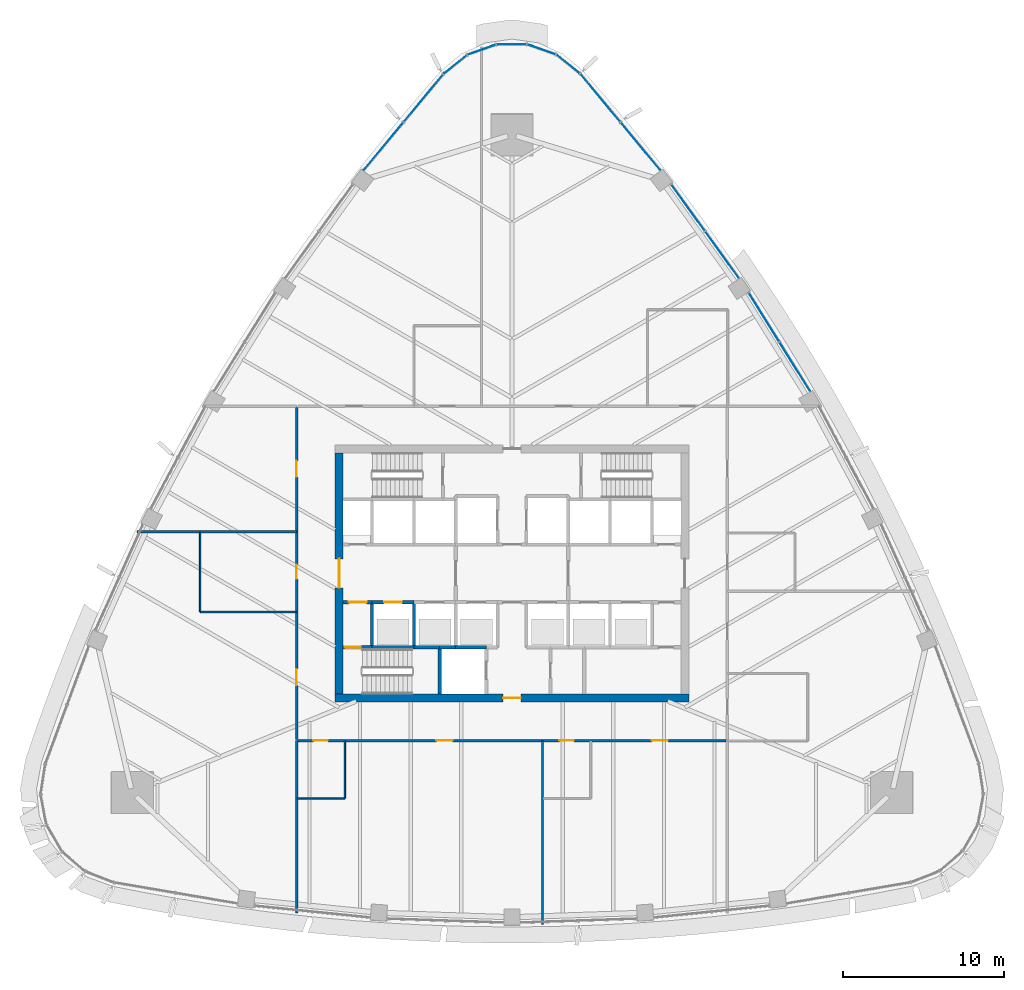
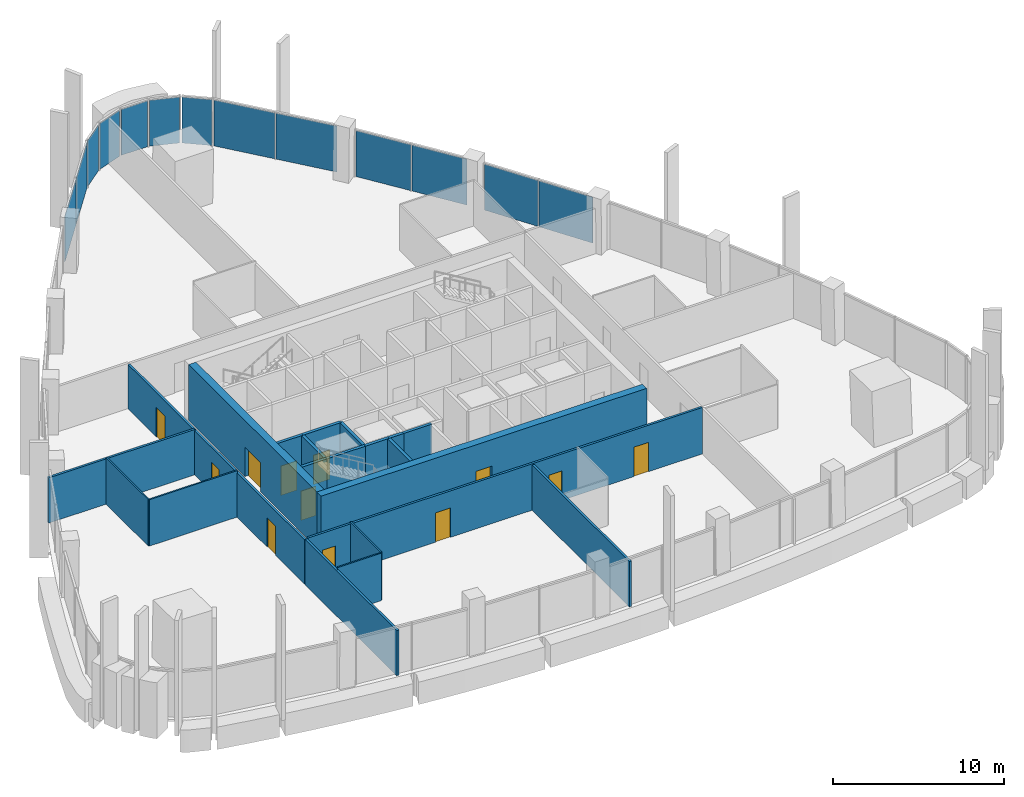
# One storey, part 9 of 19: 21 walls, 13 plates, 12 doors, 12 openings, 9 elements without a shape of their own.
"""IFC4 building model written with IfcOpenShell, lengths in metres."""

from ifc_helpers import new_model, si_unit, direction, frame, frame_2d, origin, origin_2d, place, context, subcontext, project, spatial, rectangle, extrude, material, layer, layer_set, type_object, element, fill, aggregate, save


model = new_model("IFC4")

# Units and contexts
model_context = context("Model", 3, precision=1e-05, world=origin(), true_north=direction((0.0, 1.0)))
body_context = subcontext(model_context, "Body", "Model", "MODEL_VIEW")
ifc_project = project(units=[si_unit("LENGTHUNIT", "METRE"), si_unit("AREAUNIT", "SQUARE_METRE"), si_unit("VOLUMEUNIT", "CUBIC_METRE"), si_unit("PLANEANGLEUNIT", "RADIAN"), si_unit("MASSUNIT", "GRAM", prefix="KILO")], contexts=[model_context])

# Site, building, storey
site_placement = place(None, origin())
site = spatial("IfcSite", under=ifc_project, at=site_placement, CompositionType="ELEMENT")
building_placement = place(site_placement, origin())
building = spatial("IfcBuilding", under=site, at=building_placement, Name="Sierra Prisma Convention Tower", CompositionType="ELEMENT")
storey_placement = place(building_placement, frame((0.0, 0.0, 177.800048828125)))
storey = spatial("IfcBuildingStorey", under=building, at=storey_placement, Name="L39", CompositionType="ELEMENT", Elevation=177.800048828125)

# Curtain wall, plates
ifc_material_1 = material(Name="Aluminium and glass curtain wall", Category="aluminium")
ifc_layer_1 = layer(ifc_material_1, 0.179931640625)
ifc_layer_set_1 = layer_set([ifc_layer_1], Name="CW-1 Plain shaft curtain wall")
curtain_wall_type = type_object("IfcCurtainWallType", Name="CW-1 Plain shaft curtain wall", PredefinedType="NOTDEFINED", material=ifc_layer_set_1)
curtain_wall_1_placement = place(storey_placement, origin())
curtain_wall_1 = element("IfcCurtainWall", 1, at=curtain_wall_1_placement, inside=storey, type_object=curtain_wall_type, Name="CW-1 NE4 L39", PredefinedType="NOTDEFINED")
ifc_material_2 = material(Name="Tinted glass bronze-grey IGU", Category="glass")
ifc_layer_2 = layer(ifc_material_2, 0.028076171875)
ifc_layer_set_2 = layer_set([ifc_layer_2], Name="CW-1 glass panel")
plate_type = type_object("IfcPlateType", Name="CW-1 glass panel", PredefinedType="CURTAIN_PANEL", material=ifc_layer_set_2)
plate_1_placement = place(storey_placement, frame((17.589111328125, 12.859375, 0.0), z_axis=(0.0, 0.0, 1.0), x_axis=(-0.528956975108, 0.84864864254, 0.0)))
plate_1 = element("IfcPlate", 2, at=plate_1_placement, type_object=plate_type, Name="CW-1 panel NE4.1", PredefinedType="CURTAIN_PANEL", context=body_context, shape_type="SweptSolid", body=[
    extrude(rectangle(XDim=3.546630859375, YDim=0.028076171875, at=origin_2d()), origin(), (0.0, 0.0, 1.0), 3.280029296875),
])
plate_2_placement = place(storey_placement, frame((15.676025390625, 15.9287109375, 0.0), z_axis=(0.0, 0.0, 1.0), x_axis=(-0.528956975108, 0.84864864254, 0.0)))
plate_2 = element("IfcPlate", 3, at=plate_2_placement, type_object=plate_type, Name="CW-1 panel NE4.2", PredefinedType="CURTAIN_PANEL", context=body_context, shape_type="SweptSolid", body=[
    extrude(rectangle(XDim=3.546630859375, YDim=0.028076171875, at=origin_2d()), origin(), (0.0, 0.0, 1.0), 3.280029296875),
])
aggregate(curtain_wall_1, [plate_1, plate_2])

curtain_wall_2_placement = place(storey_placement, origin())
curtain_wall_2 = element("IfcCurtainWall", 4, at=curtain_wall_2_placement, inside=storey, type_object=curtain_wall_type, Name="CW-1 NE5 L39", PredefinedType="NOTDEFINED")
plate_3_placement = place(storey_placement, frame((13.063720703125, 19.82177734375, 0.0), z_axis=(0.0, 0.0, 1.0), x_axis=(-0.585028829053, 0.811012496314, 0.0)))
plate_3 = element("IfcPlate", 5, at=plate_3_placement, type_object=plate_type, Name="CW-1 panel NE5.1", PredefinedType="CURTAIN_PANEL", context=body_context, shape_type="SweptSolid", body=[
    extrude(rectangle(XDim=3.53125, YDim=0.028076171875, at=origin_2d()), origin(), (0.0, 0.0, 1.0), 3.280029296875),
])
plate_4_placement = place(storey_placement, frame((10.956787109375, 22.74267578125, 0.0), z_axis=(0.0, 0.0, 1.0), x_axis=(-0.585028829053, 0.811012496314, 0.0)))
plate_4 = element("IfcPlate", 6, at=plate_4_placement, type_object=plate_type, Name="CW-1 panel NE5.2", PredefinedType="CURTAIN_PANEL", context=body_context, shape_type="SweptSolid", body=[
    extrude(rectangle(XDim=3.53125, YDim=0.028076171875, at=origin_2d()), origin(), (0.0, 0.0, 1.0), 3.280029296875),
])
aggregate(curtain_wall_2, [plate_3, plate_4])

curtain_wall_3_placement = place(storey_placement, origin())
curtain_wall_3 = element("IfcCurtainWall", 7, at=curtain_wall_3_placement, inside=storey, type_object=curtain_wall_type, Name="CW-1 NE6 L39", PredefinedType="NOTDEFINED")
plate_5_placement = place(storey_placement, frame((7.987548828125, 26.57373046875, 0.0), z_axis=(0.0, 0.0, 1.0), x_axis=(-0.638432640136, 0.769677701385, 0.0)))
plate_5 = element("IfcPlate", 8, at=plate_5_placement, type_object=plate_type, Name="CW-1 panel NE6.1", PredefinedType="CURTAIN_PANEL", context=body_context, shape_type="SweptSolid", body=[
    extrude(rectangle(XDim=3.802734375, YDim=0.028076171875, at=origin_2d()), origin(), (0.0, 0.0, 1.0), 3.280029296875),
])
plate_6_placement = place(storey_placement, frame((5.51513671875, 29.554443359375, 0.0), z_axis=(0.0, 0.0, 1.0), x_axis=(-0.638432640136, 0.769677701385, 0.0)))
plate_6 = element("IfcPlate", 9, at=plate_6_placement, type_object=plate_type, Name="CW-1 panel NE6.2", PredefinedType="CURTAIN_PANEL", context=body_context, shape_type="SweptSolid", body=[
    extrude(rectangle(XDim=3.802734375, YDim=0.028076171875, at=origin_2d()), origin(), (0.0, 0.0, 1.0), 3.280029296875),
])
aggregate(curtain_wall_3, [plate_5, plate_6])

# Curtain wall, plate
curtain_wall_4_placement = place(storey_placement, origin())
curtain_wall_4 = element("IfcCurtainWall", 10, at=curtain_wall_4_placement, inside=storey, type_object=curtain_wall_type, Name="CW-1 N1 L39", PredefinedType="NOTDEFINED")
plate_7_placement = place(storey_placement, frame((3.509765625, 31.67041015625, 0.0), z_axis=(0.0, 0.0, 1.0), x_axis=(-0.780299905641, 0.625405514252, 0.0)))
plate_7 = element("IfcPlate", 11, at=plate_7_placement, type_object=plate_type, Name="CW-1 panel N1.1", PredefinedType="CURTAIN_PANEL", context=body_context, shape_type="SweptSolid", body=[
    extrude(rectangle(XDim=1.774169921875, YDim=0.028076171875, at=origin_2d()), origin(), (0.0, 0.0, 1.0), 3.280029296875),
])
aggregate(curtain_wall_4, [plate_7])

curtain_wall_5_placement = place(storey_placement, origin())
curtain_wall_5 = element("IfcCurtainWall", 12, at=curtain_wall_5_placement, inside=storey, type_object=curtain_wall_type, Name="CW-1 N2 L39", PredefinedType="NOTDEFINED")
plate_8_placement = place(storey_placement, frame((1.85986328125, 32.586181640625, 0.0), z_axis=(0.0, 0.0, 1.0), x_axis=(-0.943477584694, 0.331436339558, 0.0)))
plate_8 = element("IfcPlate", 13, at=plate_8_placement, type_object=plate_type, Name="CW-1 panel N2.1", PredefinedType="CURTAIN_PANEL", context=body_context, shape_type="SweptSolid", body=[
    extrude(rectangle(XDim=1.774169921875, YDim=0.028076171875, at=origin_2d()), origin(), (0.0, 0.0, 1.0), 3.280029296875),
])
aggregate(curtain_wall_5, [plate_8])

curtain_wall_6_placement = place(storey_placement, origin())
curtain_wall_6 = element("IfcCurtainWall", 14, at=curtain_wall_6_placement, inside=storey, type_object=curtain_wall_type, Name="CW-1 N3 L39", PredefinedType="NOTDEFINED")
plate_9_placement = place(storey_placement, frame((0.0, 32.9033203125, 0.0), z_axis=(0.0, 0.0, 1.0), x_axis=(-1.0, 0.0, 0.0)))
plate_9 = element("IfcPlate", 15, at=plate_9_placement, type_object=plate_type, Name="CW-1 panel N3.1", PredefinedType="CURTAIN_PANEL", context=body_context, shape_type="SweptSolid", body=[
    extrude(rectangle(XDim=1.774169921875, YDim=0.028076171875, at=origin_2d()), origin(), (0.0, 0.0, 1.0), 3.280029296875),
])
aggregate(curtain_wall_6, [plate_9])

curtain_wall_7_placement = place(storey_placement, origin())
curtain_wall_7 = element("IfcCurtainWall", 16, at=curtain_wall_7_placement, inside=storey, type_object=curtain_wall_type, Name="CW-1 N4 L39", PredefinedType="NOTDEFINED")
plate_10_placement = place(storey_placement, frame((-1.85986328125, 32.586181640625, 0.0), z_axis=(0.0, 0.0, 1.0), x_axis=(-0.943477584694, -0.331436339558, 0.0)))
plate_10 = element("IfcPlate", 17, at=plate_10_placement, type_object=plate_type, Name="CW-1 panel N4.1", PredefinedType="CURTAIN_PANEL", context=body_context, shape_type="SweptSolid", body=[
    extrude(rectangle(XDim=1.774169921875, YDim=0.028076171875, at=origin_2d()), origin(), (0.0, 0.0, 1.0), 3.280029296875),
])
aggregate(curtain_wall_7, [plate_10])

curtain_wall_8_placement = place(storey_placement, origin())
curtain_wall_8 = element("IfcCurtainWall", 18, at=curtain_wall_8_placement, inside=storey, type_object=curtain_wall_type, Name="CW-1 N5 L39", PredefinedType="NOTDEFINED")
plate_11_placement = place(storey_placement, frame((-3.509765625, 31.67041015625, 0.0), z_axis=(0.0, 0.0, 1.0), x_axis=(-0.780299905641, -0.625405514252, 0.0)))
plate_11 = element("IfcPlate", 19, at=plate_11_placement, type_object=plate_type, Name="CW-1 panel N5.1", PredefinedType="CURTAIN_PANEL", context=body_context, shape_type="SweptSolid", body=[
    extrude(rectangle(XDim=1.774169921875, YDim=0.028076171875, at=origin_2d()), origin(), (0.0, 0.0, 1.0), 3.280029296875),
])
aggregate(curtain_wall_8, [plate_11])

# Curtain wall, plates
curtain_wall_9_placement = place(storey_placement, origin())
curtain_wall_9 = element("IfcCurtainWall", 20, at=curtain_wall_9_placement, inside=storey, type_object=curtain_wall_type, Name="CW-1 NW1 L39", PredefinedType="NOTDEFINED")
plate_12_placement = place(storey_placement, frame((-5.51513671875, 29.554443359375, 0.0), z_axis=(0.0, 0.0, 1.0), x_axis=(-0.638432640136, -0.769677701385, 0.0)))
plate_12 = element("IfcPlate", 21, at=plate_12_placement, type_object=plate_type, Name="CW-1 panel NW1.1", PredefinedType="CURTAIN_PANEL", context=body_context, shape_type="SweptSolid", body=[
    extrude(rectangle(XDim=3.802734375, YDim=0.028076171875, at=origin_2d()), origin(), (0.0, 0.0, 1.0), 3.280029296875),
])
plate_13_placement = place(storey_placement, frame((-7.987548828125, 26.57373046875, 0.0), z_axis=(0.0, 0.0, 1.0), x_axis=(-0.638432640136, -0.769677701385, 0.0)))
plate_13 = element("IfcPlate", 22, at=plate_13_placement, type_object=plate_type, Name="CW-1 panel NW1.2", PredefinedType="CURTAIN_PANEL", context=body_context, shape_type="SweptSolid", body=[
    extrude(rectangle(XDim=3.802734375, YDim=0.028076171875, at=origin_2d()), origin(), (0.0, 0.0, 1.0), 3.280029296875),
])
aggregate(curtain_wall_9, [plate_12, plate_13])

# Walls
ifc_material_3 = material(Name="Gypsum board partition", Category="gypsum")
ifc_layer_3 = layer(ifc_material_3, 0.10009765625)
ifc_layer_set_3 = layer_set([ifc_layer_3], Name="Bathroom partition 100")
wall_type_1 = type_object("IfcWallType", Name="Bathroom partition 100", PredefinedType="PARTITIONING", material=ifc_layer_set_3)
wall_1_placement = place(storey_placement, frame((-13.429931640625, -2.39990234375, 0.0), z_axis=(0.0, 0.0, 1.0), x_axis=(-1.0, 0.0, 0.0)))
element("IfcWall", 23, at=wall_1_placement, inside=storey, type_object=wall_type_1, Name="Partition L39 bath 1", PredefinedType="PARTITIONING", context=body_context, shape_type="SweptSolid", body=[
    extrude(rectangle(XDim=5.969970703125, YDim=0.10009765625, at=frame_2d((2.98486328125, 0.0))), origin(), (0.0, 0.0, 1.0), 3.31689453125),
])
wall_2_placement = place(storey_placement, frame((-19.39990234375, -2.39990234375, 0.0), z_axis=(0.0, 0.0, 1.0), x_axis=(0.0, 1.0, 0.0)))
element("IfcWall", 24, at=wall_2_placement, inside=storey, type_object=wall_type_1, Name="Partition L39 bath 2", PredefinedType="PARTITIONING", context=body_context, shape_type="SweptSolid", body=[
    extrude(rectangle(XDim=4.969970703125, YDim=0.10009765625, at=frame_2d((2.48486328125, 0.0))), origin(), (0.0, 0.0, 1.0), 3.31689453125),
])
wall_3_placement = place(storey_placement, frame((-10.39990234375, -10.429931640625, 0.0), z_axis=(0.0, 0.0, 1.0), x_axis=(0.0, -1.0, 0.0)))
element("IfcWall", 25, at=wall_3_placement, inside=storey, type_object=wall_type_1, Name="Partition L39 bath 3", PredefinedType="PARTITIONING", context=body_context, shape_type="SweptSolid", body=[
    extrude(rectangle(XDim=3.570068359375, YDim=0.10009765625, at=frame_2d((1.78515625, 0.0))), origin(), (0.0, 0.0, 1.0), 3.449951171875),
])
wall_4_placement = place(storey_placement, frame((-10.39990234375, -14.0, 0.0), z_axis=(0.0, 0.0, 1.0), x_axis=(-1.0, 0.0, 0.0)))
element("IfcWall", 26, at=wall_4_placement, inside=storey, type_object=wall_type_1, Name="Partition L39 bath 4", PredefinedType="PARTITIONING", context=body_context, shape_type="SweptSolid", body=[
    extrude(rectangle(XDim=2.97021484375, YDim=0.10009765625, at=frame_2d((1.485107421875, 0.0))), origin(), (0.0, 0.0, 1.0), 3.39306640625),
])

# Wall, opening, door
ifc_material_4 = material(Name="Concrete C30/37", Category="concrete")
ifc_layer_4 = layer(ifc_material_4, 0.199951171875)
ifc_layer_set_4 = layer_set([ifc_layer_4], Name="Core wall RC 200 C30/37")
wall_type_2 = type_object("IfcWallType", Name="Core wall RC 200 C30/37", PredefinedType="SOLIDWALL", material=ifc_layer_set_4)
wall_5_placement = place(storey_placement, frame((-10.5, -4.60009765625, 0.0), z_axis=(0.0, 0.0, 1.0), x_axis=(1.0, 0.0, 0.0)))
wall_5 = element("IfcWall", 27, at=wall_5_placement, inside=storey, type_object=wall_type_2, Name="Core wall L39 1", PredefinedType="SOLIDWALL", context=body_context, shape_type="SweptSolid", body=[
    extrude(rectangle(XDim=1.800048828125, YDim=0.199951171875, at=frame_2d((0.89990234375, 0.0))), origin(), (0.0, 0.0, 1.0), 3.849853515625),
])
opening_1_placement = place(wall_5_placement, frame((0.10009765625, 0.0, 0.0)))
opening_1 = element("IfcOpeningElement", 28, at=opening_1_placement, cuts=wall_5, Name="Opening L39-D017", PredefinedType="OPENING", context=body_context, shape_type="SweptSolid", body=[
    extrude(rectangle(XDim=1.0, YDim=2.10009765625, at=frame_2d((0.5, 1.050048828125))), frame((0.0, 0.10009765625, 0.0), z_axis=(0.0, -1.0, 0.0), x_axis=(1.0, 0.0, 0.0)), (0.0, 0.0, 1.0), 0.199951171875),
])
ifc_material_5 = material(Name="Steel fire door leaf", Category="steel")
door_type_1 = type_object("IfcDoorType", Name="Door 1000x2100 FD90S", OperationType="SINGLE_SWING_LEFT", PredefinedType="DOOR", material=ifc_material_5)
door_1_placement = place(opening_1_placement, origin())
door_1 = element("IfcDoor", 29, at=door_1_placement, inside=storey, type_object=door_type_1, Name="Door L39 32", OperationType="SINGLE_SWING_LEFT", OverallHeight=2.10009765625, OverallWidth=1.0, PredefinedType="DOOR", context=body_context, shape_type="SweptSolid", body=[
    extrude(rectangle(XDim=1.0, YDim=2.10009765625, at=frame_2d((0.5, 1.050048828125))), frame((0.0, 0.02490234375, 0.0), z_axis=(0.0, -1.0, 0.0), x_axis=(1.0, 0.0, 0.0)), (0.0, 0.0, 1.0), 0.050048828125),
])
fill(opening_1, door_1)

wall_6_placement = place(storey_placement, frame((-10.5, -1.800048828125, 0.0), z_axis=(0.0, 0.0, 1.0), x_axis=(1.0, 0.0, 0.0)))
wall_6 = element("IfcWall", 30, at=wall_6_placement, inside=storey, type_object=wall_type_2, Name="Core wall L39 2", PredefinedType="SOLIDWALL", context=body_context, shape_type="SweptSolid", body=[
    extrude(rectangle(XDim=1.800048828125, YDim=0.199951171875, at=frame_2d((0.89990234375, 0.0))), origin(), (0.0, 0.0, 1.0), 3.849853515625),
])
opening_2_placement = place(wall_6_placement, frame((0.35009765625, 0.0, 0.0)))
opening_2 = element("IfcOpeningElement", 31, at=opening_2_placement, cuts=wall_6, Name="Opening L39-D012", PredefinedType="OPENING", context=body_context, shape_type="SweptSolid", body=[
    extrude(rectangle(XDim=1.10009765625, YDim=2.10009765625, at=frame_2d((0.550048828125, 1.050048828125))), frame((0.0, 0.10009765625, 0.0), z_axis=(0.0, -1.0, 0.0), x_axis=(1.0, 0.0, 0.0)), (0.0, 0.0, 1.0), 0.199951171875),
])
ifc_material_6 = material(Name="Steel fire door leaf", Category="steel")
door_type_2 = type_object("IfcDoorType", Name="Door 1100x2100 FD90S", OperationType="SINGLE_SWING_LEFT", PredefinedType="DOOR", material=ifc_material_6)
door_2_placement = place(opening_2_placement, origin())
door_2 = element("IfcDoor", 32, at=door_2_placement, inside=storey, type_object=door_type_2, Name="Door L39 27", OperationType="SINGLE_SWING_LEFT", OverallHeight=2.10009765625, OverallWidth=1.10009765625, PredefinedType="DOOR", context=body_context, shape_type="SweptSolid", body=[
    extrude(rectangle(XDim=1.10009765625, YDim=2.10009765625, at=frame_2d((0.550048828125, 1.050048828125))), frame((0.0, 0.02490234375, 0.0), z_axis=(0.0, -1.0, 0.0), x_axis=(1.0, 0.0, 0.0)), (0.0, 0.0, 1.0), 0.050048828125),
])
fill(opening_2, door_2)

# Walls
wall_7_placement = place(storey_placement, frame((-8.699951171875, -4.60009765625, 0.0), z_axis=(0.0, 0.0, 1.0), x_axis=(1.0, 0.0, 0.0)))
element("IfcWall", 33, at=wall_7_placement, inside=storey, type_object=wall_type_2, Name="Core wall L39 5", PredefinedType="SOLIDWALL", context=body_context, shape_type="SweptSolid", body=[
    extrude(rectangle(XDim=2.599853515625, YDim=0.199951171875, at=frame_2d((1.2998046875, 0.0))), origin(), (0.0, 0.0, 1.0), 3.849853515625),
])
wall_8_placement = place(storey_placement, frame((-8.699951171875, -4.60009765625, 0.0), z_axis=(0.0, 0.0, 1.0), x_axis=(0.0, 1.0, 0.0)))
element("IfcWall", 34, at=wall_8_placement, inside=storey, type_object=wall_type_2, Name="Core wall L39 6", PredefinedType="SOLIDWALL", context=body_context, shape_type="SweptSolid", body=[
    extrude(rectangle(XDim=2.800048828125, YDim=0.199951171875, at=frame_2d((1.39990234375, 0.0))), origin(), (0.0, 0.0, 1.0), 3.849853515625),
])

# Wall, opening, door
wall_9_placement = place(storey_placement, frame((-8.699951171875, -1.800048828125, 0.0), z_axis=(0.0, 0.0, 1.0), x_axis=(1.0, 0.0, 0.0)))
wall_9 = element("IfcWall", 35, at=wall_9_placement, inside=storey, type_object=wall_type_2, Name="Core wall L39 7", PredefinedType="SOLIDWALL", context=body_context, shape_type="SweptSolid", body=[
    extrude(rectangle(XDim=2.599853515625, YDim=0.199951171875, at=frame_2d((1.2998046875, 0.0))), origin(), (0.0, 0.0, 1.0), 3.849853515625),
])
opening_3_placement = place(wall_9_placement, frame((0.75, 0.0, 0.0)))
opening_3 = element("IfcOpeningElement", 36, at=opening_3_placement, cuts=wall_9, Name="Opening L39-D001", PredefinedType="OPENING", context=body_context, shape_type="SweptSolid", body=[
    extrude(rectangle(XDim=1.10009765625, YDim=2.10009765625, at=frame_2d((0.550048828125, 1.050048828125))), frame((0.0, 0.10009765625, 0.0), z_axis=(0.0, -1.0, 0.0), x_axis=(1.0, 0.0, 0.0)), (0.0, 0.0, 1.0), 0.199951171875),
])
ifc_material_7 = material(Name="Steel fire door leaf", Category="steel")
door_type_3 = type_object("IfcDoorType", Name="Door 1100x2100 EI 90 sliding lift landing", OperationType="SLIDING_TO_LEFT", PredefinedType="DOOR", material=ifc_material_7)
door_3_placement = place(opening_3_placement, origin())
door_3 = element("IfcDoor", 37, at=door_3_placement, inside=storey, type_object=door_type_3, Name="Door L39 16", OperationType="SLIDING_TO_LEFT", OverallHeight=2.10009765625, OverallWidth=1.10009765625, PredefinedType="DOOR", context=body_context, shape_type="SweptSolid", body=[
    extrude(rectangle(XDim=1.10009765625, YDim=2.10009765625, at=frame_2d((0.550048828125, 1.050048828125))), frame((0.0, 0.02490234375, 0.0), z_axis=(0.0, -1.0, 0.0), x_axis=(1.0, 0.0, 0.0)), (0.0, 0.0, 1.0), 0.050048828125),
])
fill(opening_3, door_3)

# Walls
wall_10_placement = place(storey_placement, frame((-6.10009765625, -4.60009765625, 0.0), z_axis=(0.0, 0.0, 1.0), x_axis=(1.0, 0.0, 0.0)))
element("IfcWall", 38, at=wall_10_placement, inside=storey, type_object=wall_type_2, Name="Core wall L39 11", PredefinedType="SOLIDWALL", context=body_context, shape_type="SweptSolid", body=[
    extrude(rectangle(XDim=1.60009765625, YDim=0.199951171875, at=frame_2d((0.800048828125, 0.0))), origin(), (0.0, 0.0, 1.0), 3.849853515625),
])
wall_11_placement = place(storey_placement, frame((-6.10009765625, -4.60009765625, 0.0), z_axis=(0.0, 0.0, 1.0), x_axis=(0.0, 1.0, 0.0)))
element("IfcWall", 39, at=wall_11_placement, inside=storey, type_object=wall_type_2, Name="Core wall L39 12", PredefinedType="SOLIDWALL", context=body_context, shape_type="SweptSolid", body=[
    extrude(rectangle(XDim=2.800048828125, YDim=0.199951171875, at=frame_2d((1.39990234375, 0.0))), origin(), (0.0, 0.0, 1.0), 3.849853515625),
])
wall_12_placement = place(storey_placement, frame((-4.5, -4.60009765625, 0.0), z_axis=(0.0, 0.0, 1.0), x_axis=(0.0, -1.0, 0.0)))
element("IfcWall", 40, at=wall_12_placement, inside=storey, type_object=wall_type_2, Name="Core wall L39 17", PredefinedType="SOLIDWALL", context=body_context, shape_type="SweptSolid", body=[
    extrude(rectangle(XDim=2.89990234375, YDim=0.199951171875, at=frame_2d((1.449951171875, 0.0))), origin(), (0.0, 0.0, 1.0), 3.849853515625),
])
wall_13_placement = place(storey_placement, frame((-4.5, -4.60009765625, 0.0), z_axis=(0.0, 0.0, 1.0), x_axis=(1.0, 0.0, 0.0)))
element("IfcWall", 41, at=wall_13_placement, inside=storey, type_object=wall_type_2, Name="Core wall L39 18", PredefinedType="SOLIDWALL", context=body_context, shape_type="SweptSolid", body=[
    extrude(rectangle(XDim=1.0, YDim=0.199951171875, at=frame_2d((0.5, 0.0))), origin(), (0.0, 0.0, 1.0), 3.849853515625),
])
wall_14_placement = place(storey_placement, frame((-3.5, -4.60009765625, 0.0), z_axis=(0.0, 0.0, 1.0), x_axis=(1.0, 0.0, 0.0)))
element("IfcWall", 42, at=wall_14_placement, inside=storey, type_object=wall_type_2, Name="Core wall L39 21", PredefinedType="SOLIDWALL", context=body_context, shape_type="SweptSolid", body=[
    extrude(rectangle(XDim=1.89990234375, YDim=0.199951171875, at=frame_2d((0.949951171875, 0.0))), origin(), (0.0, 0.0, 1.0), 3.849853515625),
])

# Wall, opening, door
ifc_material_8 = material(Name="Concrete C60/75", Category="concrete")
ifc_layer_5 = layer(ifc_material_8, 0.5)
ifc_layer_set_5 = layer_set([ifc_layer_5], Name="Core wall RC 500 C60/75")
wall_type_3 = type_object("IfcWallType", Name="Core wall RC 500 C60/75", PredefinedType="SHEAR", material=ifc_layer_set_5)
wall_15_placement = place(storey_placement, frame((-11.0, -7.75, 0.0), z_axis=(0.0, 0.0, 1.0), x_axis=(1.0, 0.0, 0.0)))
wall_15 = element("IfcWall", 43, at=wall_15_placement, inside=storey, type_object=wall_type_3, Name="Core wall S L39", PredefinedType="SHEAR", context=body_context, shape_type="SweptSolid", body=[
    extrude(rectangle(XDim=22.0, YDim=0.5, at=frame_2d((11.0, 0.0))), origin(), (0.0, 0.0, 1.0), 4.0),
])
opening_4_placement = place(wall_15_placement, frame((10.449951171875, 0.0, 0.0)))
opening_4 = element("IfcOpeningElement", 44, at=opening_4_placement, cuts=wall_15, Name="Opening L39-D040", PredefinedType="OPENING", context=body_context, shape_type="SweptSolid", body=[
    extrude(rectangle(XDim=1.10009765625, YDim=2.10009765625, at=frame_2d((0.550048828125, 1.050048828125))), frame((0.0, 0.25, 0.0), z_axis=(0.0, -1.0, 0.0), x_axis=(1.0, 0.0, 0.0)), (0.0, 0.0, 1.0), 0.5),
])
ifc_material_9 = material(Name="Steel fire door leaf", Category="steel")
door_type_4 = type_object("IfcDoorType", Name="Door 1100x2100 FD30S", OperationType="SINGLE_SWING_LEFT", PredefinedType="DOOR", material=ifc_material_9)
door_4_placement = place(opening_4_placement, origin())
door_4 = element("IfcDoor", 45, at=door_4_placement, inside=storey, type_object=door_type_4, Name="Door L39 41", OperationType="SINGLE_SWING_RIGHT", OverallHeight=2.10009765625, OverallWidth=1.10009765625, PredefinedType="DOOR", context=body_context, shape_type="SweptSolid", body=[
    extrude(rectangle(XDim=1.10009765625, YDim=2.10009765625, at=frame_2d((0.550048828125, 1.050048828125))), frame((0.0, 0.02490234375, 0.0), z_axis=(0.0, -1.0, 0.0), x_axis=(1.0, 0.0, 0.0)), (0.0, 0.0, 1.0), 0.050048828125),
])
fill(opening_4, door_4)

wall_16_placement = place(storey_placement, frame((-10.75, -7.5, 0.0), z_axis=(0.0, 0.0, 1.0), x_axis=(0.0, 1.0, 0.0)))
wall_16 = element("IfcWall", 46, at=wall_16_placement, inside=storey, type_object=wall_type_3, Name="Core wall W L39", PredefinedType="SHEAR", context=body_context, shape_type="SweptSolid", body=[
    extrude(rectangle(XDim=15.0, YDim=0.5, at=frame_2d((7.5, 0.0))), origin(), (0.0, 0.0, 1.0), 4.0),
])
opening_5_placement = place(wall_16_placement, frame((6.60009765625, 0.0, 0.0)))
opening_5 = element("IfcOpeningElement", 47, at=opening_5_placement, cuts=wall_16, Name="Opening L39-D041", PredefinedType="OPENING", context=body_context, shape_type="SweptSolid", body=[
    extrude(rectangle(XDim=1.800048828125, YDim=2.10009765625, at=frame_2d((0.89990234375, 1.050048828125))), frame((0.0, 0.25, 0.0), z_axis=(0.0, -1.0, 0.0), x_axis=(1.0, 0.0, 0.0)), (0.0, 0.0, 1.0), 0.5),
])
ifc_material_10 = material(Name="Steel fire door leaf", Category="steel")
door_type_5 = type_object("IfcDoorType", Name="Door 1800x2100 FD60S", OperationType="DOUBLE_DOOR_SINGLE_SWING", PredefinedType="DOOR", material=ifc_material_10)
door_5_placement = place(opening_5_placement, origin())
door_5 = element("IfcDoor", 48, at=door_5_placement, inside=storey, type_object=door_type_5, Name="Door L39 38", OperationType="DOUBLE_DOOR_SINGLE_SWING", OverallHeight=2.10009765625, OverallWidth=1.800048828125, PredefinedType="DOOR", context=body_context, shape_type="SweptSolid", body=[
    extrude(rectangle(XDim=1.800048828125, YDim=2.10009765625, at=frame_2d((0.89990234375, 1.050048828125))), frame((0.0, 0.02490234375, 0.0), z_axis=(0.0, -1.0, 0.0), x_axis=(1.0, 0.0, 0.0)), (0.0, 0.0, 1.0), 0.050048828125),
])
fill(opening_5, door_5)

# Wall, openings, doors
ifc_material_11 = material(Name="Gypsum board partition", Category="gypsum")
ifc_layer_6 = layer(ifc_material_11, 0.14990234375)
ifc_layer_set_6 = layer_set([ifc_layer_6], Name="Corridor wall 150 gypsum EI 60")
wall_type_4 = type_object("IfcWallType", Name="Corridor wall 150 gypsum EI 60", PredefinedType="PARTITIONING", material=ifc_layer_set_6)
wall_17_placement = place(storey_placement, frame((-13.39990234375, 10.320068359375, 0.0), z_axis=(0.0, 0.0, 1.0), x_axis=(0.0, -1.0, 0.0)))
wall_17 = element("IfcWall", 49, at=wall_17_placement, inside=storey, type_object=wall_type_4, Name="Partition L39 corr 1", PredefinedType="PARTITIONING", context=body_context, shape_type="SweptSolid", body=[
    extrude(rectangle(XDim=20.64013671875, YDim=0.14990234375, at=frame_2d((10.320068359375, 0.0))), origin(), (0.0, 0.0, 1.0), 3.166015625),
])
opening_6_placement = place(wall_17_placement, frame((3.320068359375, 0.0, 0.0)))
opening_6 = element("IfcOpeningElement", 50, at=opening_6_placement, cuts=wall_17, Name="Opening L39-D029", PredefinedType="OPENING", context=body_context, shape_type="SweptSolid", body=[
    extrude(rectangle(XDim=1.0, YDim=2.10009765625, at=frame_2d((0.5, 1.050048828125))), frame((0.0, 0.074951171875, 0.0), z_axis=(0.0, -1.0, 0.0), x_axis=(1.0, 0.0, 0.0)), (0.0, 0.0, 1.0), 0.14990234375),
])
opening_7_placement = place(wall_17_placement, frame((9.77001953125, 0.0, 0.0)))
opening_7 = element("IfcOpeningElement", 51, at=opening_7_placement, cuts=wall_17, Name="Opening L39-D030", PredefinedType="OPENING", context=body_context, shape_type="SweptSolid", body=[
    extrude(rectangle(XDim=0.89990234375, YDim=2.10009765625, at=frame_2d((0.449951171875, 1.050048828125))), frame((0.0, 0.074951171875, 0.0), z_axis=(0.0, -1.0, 0.0), x_axis=(1.0, 0.0, 0.0)), (0.0, 0.0, 1.0), 0.14990234375),
])
opening_8_placement = place(wall_17_placement, frame((16.280029296875, 0.0, 0.0)))
opening_8 = element("IfcOpeningElement", 52, at=opening_8_placement, cuts=wall_17, Name="Opening L39-D031", PredefinedType="OPENING", context=body_context, shape_type="SweptSolid", body=[
    extrude(rectangle(XDim=1.0, YDim=2.10009765625, at=frame_2d((0.5, 1.050048828125))), frame((0.0, 0.074951171875, 0.0), z_axis=(0.0, -1.0, 0.0), x_axis=(1.0, 0.0, 0.0)), (0.0, 0.0, 1.0), 0.14990234375),
])
ifc_material_12 = material(Name="Steel fire door leaf", Category="steel")
door_type_6 = type_object("IfcDoorType", Name="Door 1000x2100 FD30S", OperationType="SINGLE_SWING_LEFT", PredefinedType="DOOR", material=ifc_material_12)
door_6_placement = place(opening_6_placement, origin())
door_6 = element("IfcDoor", 53, at=door_6_placement, inside=storey, type_object=door_type_6, Name="Door L39 7", OperationType="SINGLE_SWING_LEFT", OverallHeight=2.10009765625, OverallWidth=1.0, PredefinedType="DOOR", context=body_context, shape_type="SweptSolid", body=[
    extrude(rectangle(XDim=1.0, YDim=2.10009765625, at=frame_2d((0.5, 1.050048828125))), frame((0.0, 0.02490234375, 0.0), z_axis=(0.0, -1.0, 0.0), x_axis=(1.0, 0.0, 0.0)), (0.0, 0.0, 1.0), 0.050048828125),
])
fill(opening_6, door_6)
door_7_placement = place(opening_8_placement, origin())
door_7 = element("IfcDoor", 54, at=door_7_placement, inside=storey, type_object=door_type_6, Name="Door L39 9", OperationType="SINGLE_SWING_RIGHT", OverallHeight=2.10009765625, OverallWidth=1.0, PredefinedType="DOOR", context=body_context, shape_type="SweptSolid", body=[
    extrude(rectangle(XDim=1.0, YDim=2.10009765625, at=frame_2d((0.5, 1.050048828125))), frame((0.0, 0.02490234375, 0.0), z_axis=(0.0, -1.0, 0.0), x_axis=(1.0, 0.0, 0.0)), (0.0, 0.0, 1.0), 0.050048828125),
])
fill(opening_8, door_7)
ifc_material_13 = material(Name="Steel fire door leaf", Category="steel")
door_type_7 = type_object("IfcDoorType", Name="Door 900x2100 FD30S", OperationType="SINGLE_SWING_LEFT", PredefinedType="DOOR", material=ifc_material_13)
door_8_placement = place(opening_7_placement, origin())
door_8 = element("IfcDoor", 55, at=door_8_placement, inside=storey, type_object=door_type_7, Name="Door L39 8", OperationType="SINGLE_SWING_RIGHT", OverallHeight=2.10009765625, OverallWidth=0.89990234375, PredefinedType="DOOR", context=body_context, shape_type="SweptSolid", body=[
    extrude(rectangle(XDim=0.89990234375, YDim=2.10009765625, at=frame_2d((0.449951171875, 1.050048828125))), frame((0.0, 0.02490234375, 0.0), z_axis=(0.0, -1.0, 0.0), x_axis=(1.0, 0.0, 0.0)), (0.0, 0.0, 1.0), 0.050048828125),
])
fill(opening_7, door_8)

wall_18_placement = place(storey_placement, frame((-13.320068359375, -10.39990234375, 0.0), z_axis=(0.0, 0.0, 1.0), x_axis=(1.0, 0.0, 0.0)))
wall_18 = element("IfcWall", 56, at=wall_18_placement, inside=storey, type_object=wall_type_4, Name="Partition L39 corr 2", PredefinedType="PARTITIONING", context=body_context, shape_type="SweptSolid", body=[
    extrude(rectangle(XDim=26.64013671875, YDim=0.14990234375, at=frame_2d((13.320068359375, 0.0))), origin(), (0.0, 0.0, 1.0), 3.31689453125),
])
opening_9_placement = place(wall_18_placement, frame((0.969970703125, 0.0, 0.0)))
opening_9 = element("IfcOpeningElement", 57, at=opening_9_placement, cuts=wall_18, Name="Opening L39-D032", PredefinedType="OPENING", context=body_context, shape_type="SweptSolid", body=[
    extrude(rectangle(XDim=0.89990234375, YDim=2.10009765625, at=frame_2d((0.449951171875, 1.050048828125))), frame((0.0, 0.074951171875, 0.0), z_axis=(0.0, -1.0, 0.0), x_axis=(1.0, 0.0, 0.0)), (0.0, 0.0, 1.0), 0.14990234375),
])
opening_10_placement = place(wall_18_placement, frame((8.6201171875, 0.0, 0.0)))
opening_10 = element("IfcOpeningElement", 58, at=opening_10_placement, cuts=wall_18, Name="Opening L39-D033", PredefinedType="OPENING", context=body_context, shape_type="SweptSolid", body=[
    extrude(rectangle(XDim=1.0, YDim=2.10009765625, at=frame_2d((0.5, 1.050048828125))), frame((0.0, 0.074951171875, 0.0), z_axis=(0.0, -1.0, 0.0), x_axis=(1.0, 0.0, 0.0)), (0.0, 0.0, 1.0), 0.14990234375),
])
opening_11_placement = place(wall_18_placement, frame((16.27001953125, 0.0, 0.0)))
opening_11 = element("IfcOpeningElement", 59, at=opening_11_placement, cuts=wall_18, Name="Opening L39-D034", PredefinedType="OPENING", context=body_context, shape_type="SweptSolid", body=[
    extrude(rectangle(XDim=0.89990234375, YDim=2.10009765625, at=frame_2d((0.449951171875, 1.050048828125))), frame((0.0, 0.074951171875, 0.0), z_axis=(0.0, -1.0, 0.0), x_axis=(1.0, 0.0, 0.0)), (0.0, 0.0, 1.0), 0.14990234375),
])
opening_12_placement = place(wall_18_placement, frame((22.02001953125, 0.0, 0.0)))
opening_12 = element("IfcOpeningElement", 60, at=opening_12_placement, cuts=wall_18, Name="Opening L39-D035", PredefinedType="OPENING", context=body_context, shape_type="SweptSolid", body=[
    extrude(rectangle(XDim=1.0, YDim=2.10009765625, at=frame_2d((0.5, 1.050048828125))), frame((0.0, 0.074951171875, 0.0), z_axis=(0.0, -1.0, 0.0), x_axis=(1.0, 0.0, 0.0)), (0.0, 0.0, 1.0), 0.14990234375),
])
door_9_placement = place(opening_10_placement, origin())
door_9 = element("IfcDoor", 61, at=door_9_placement, inside=storey, type_object=door_type_6, Name="Door L39 11", OperationType="SINGLE_SWING_RIGHT", OverallHeight=2.10009765625, OverallWidth=1.0, PredefinedType="DOOR", context=body_context, shape_type="SweptSolid", body=[
    extrude(rectangle(XDim=1.0, YDim=2.10009765625, at=frame_2d((0.5, 1.050048828125))), frame((0.0, 0.02490234375, 0.0), z_axis=(0.0, -1.0, 0.0), x_axis=(1.0, 0.0, 0.0)), (0.0, 0.0, 1.0), 0.050048828125),
])
fill(opening_10, door_9)
door_10_placement = place(opening_12_placement, origin())
door_10 = element("IfcDoor", 62, at=door_10_placement, inside=storey, type_object=door_type_6, Name="Door L39 13", OperationType="SINGLE_SWING_LEFT", OverallHeight=2.10009765625, OverallWidth=1.0, PredefinedType="DOOR", context=body_context, shape_type="SweptSolid", body=[
    extrude(rectangle(XDim=1.0, YDim=2.10009765625, at=frame_2d((0.5, 1.050048828125))), frame((0.0, 0.02490234375, 0.0), z_axis=(0.0, -1.0, 0.0), x_axis=(1.0, 0.0, 0.0)), (0.0, 0.0, 1.0), 0.050048828125),
])
fill(opening_12, door_10)
door_11_placement = place(opening_9_placement, origin())
door_11 = element("IfcDoor", 63, at=door_11_placement, inside=storey, type_object=door_type_7, Name="Door L39 10", OperationType="SINGLE_SWING_RIGHT", OverallHeight=2.10009765625, OverallWidth=0.89990234375, PredefinedType="DOOR", context=body_context, shape_type="SweptSolid", body=[
    extrude(rectangle(XDim=0.89990234375, YDim=2.10009765625, at=frame_2d((0.449951171875, 1.050048828125))), frame((0.0, 0.02490234375, 0.0), z_axis=(0.0, -1.0, 0.0), x_axis=(1.0, 0.0, 0.0)), (0.0, 0.0, 1.0), 0.050048828125),
])
fill(opening_9, door_11)
door_12_placement = place(opening_11_placement, origin())
door_12 = element("IfcDoor", 64, at=door_12_placement, inside=storey, type_object=door_type_7, Name="Door L39 12", OperationType="SINGLE_SWING_LEFT", OverallHeight=2.10009765625, OverallWidth=0.89990234375, PredefinedType="DOOR", context=body_context, shape_type="SweptSolid", body=[
    extrude(rectangle(XDim=0.89990234375, YDim=2.10009765625, at=frame_2d((0.449951171875, 1.050048828125))), frame((0.0, 0.02490234375, 0.0), z_axis=(0.0, -1.0, 0.0), x_axis=(1.0, 0.0, 0.0)), (0.0, 0.0, 1.0), 0.050048828125),
])
fill(opening_11, door_12)

# Walls
ifc_material_14 = material(Name="Gypsum board partition", Category="gypsum")
ifc_layer_7 = layer(ifc_material_14, 0.14990234375)
ifc_layer_set_7 = layer_set([ifc_layer_7], Name="Party wall 150 gypsum")
wall_type_5 = type_object("IfcWallType", Name="Party wall 150 gypsum", PredefinedType="PARTITIONING", material=ifc_layer_set_7)
wall_19_placement = place(storey_placement, frame((-13.39990234375, 2.60009765625, 0.0), z_axis=(0.0, 0.0, 1.0), x_axis=(-1.0, 0.0, 0.0)))
element("IfcWall", 65, at=wall_19_placement, inside=storey, type_object=wall_type_5, Name="Partition L39 party 1", PredefinedType="PARTITIONING", context=body_context, shape_type="SweptSolid", body=[
    extrude(rectangle(XDim=9.9365234375, YDim=0.14990234375, at=frame_2d((4.96826171875, 0.0))), origin(), (0.0, 0.0, 1.0), 3.23388671875),
])
wall_20_placement = place(storey_placement, frame((-13.39990234375, -10.39990234375, 0.0), z_axis=(0.0, 0.0, 1.0), x_axis=(0.0, -1.0, 0.0)))
element("IfcWall", 66, at=wall_20_placement, inside=storey, type_object=wall_type_5, Name="Partition L39 party 3", PredefinedType="PARTITIONING", context=body_context, shape_type="SweptSolid", body=[
    extrude(rectangle(XDim=10.74072265625, YDim=0.14990234375, at=frame_2d((5.370361328125, 0.0))), origin(), (0.0, 0.0, 1.0), 3.23388671875),
])
wall_21_placement = place(storey_placement, frame((1.89990234375, -10.39990234375, 0.0), z_axis=(0.0, 0.0, 1.0), x_axis=(0.0, -1.0, 0.0)))
element("IfcWall", 67, at=wall_21_placement, inside=storey, type_object=wall_type_5, Name="Partition L39 party 5", PredefinedType="PARTITIONING", context=body_context, shape_type="SweptSolid", body=[
    extrude(rectangle(XDim=11.456787109375, YDim=0.14990234375, at=frame_2d((5.728515625, 0.0))), origin(), (0.0, 0.0, 1.0), 3.23388671875),
])

save(model, "model.ifc")
